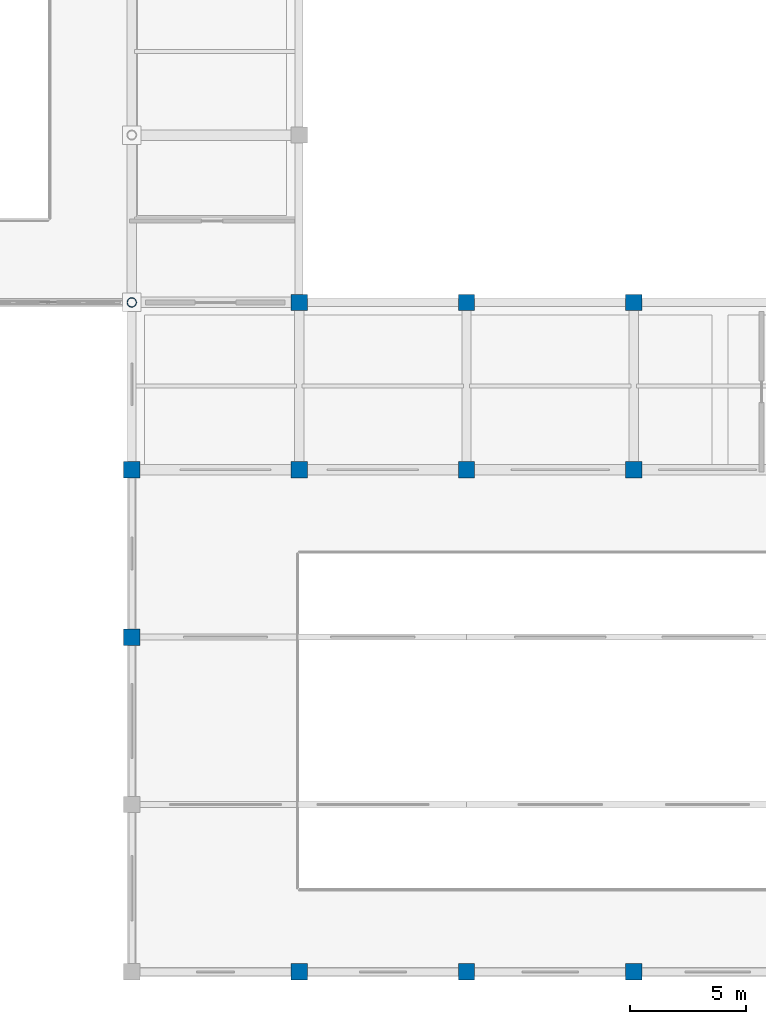
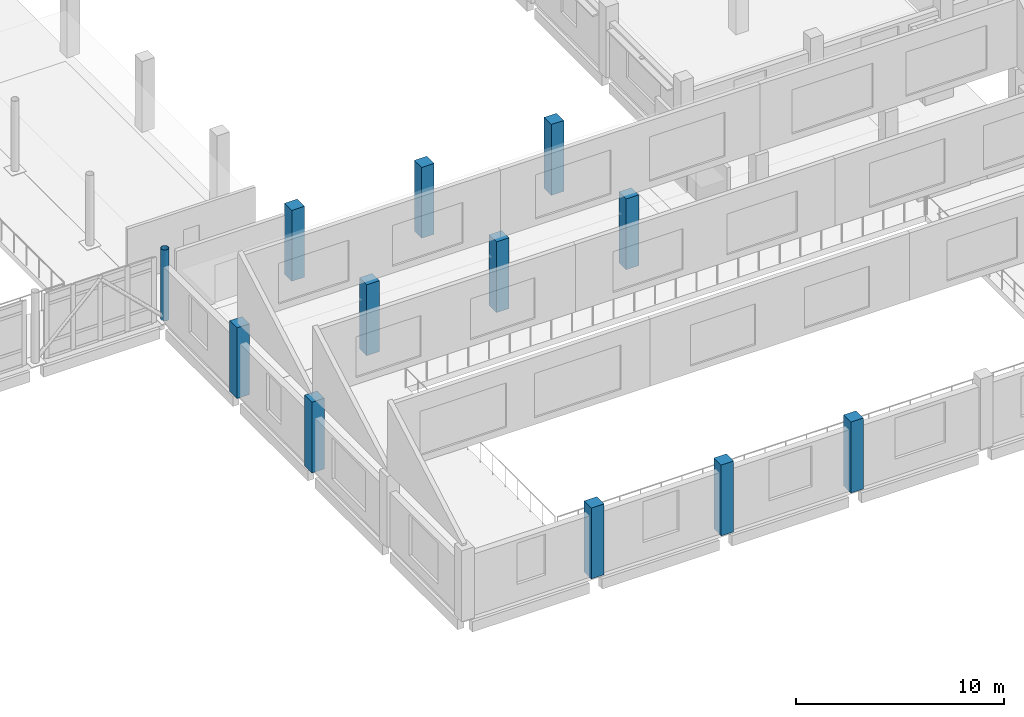
# One storey, part 6 of 62: 12 columns.
"""IFC4 building model written with IfcOpenShell, lengths in metres."""

from ifc_helpers import new_model, si_unit, direction, frame, origin, origin_2d, place, context, subcontext, project, spatial, rectangle, hollow_circle, extrude, material, material_profile, profile_set, type_object, element, save


model = new_model("IFC4")

# Units and contexts
model_context = context("Model", 3, precision=1e-05, world=origin(), true_north=direction((0.0, 1.0)))
body_context = subcontext(model_context, "Body", "Model", "MODEL_VIEW")
ifc_project = project(units=[si_unit("LENGTHUNIT", "METRE"), si_unit("AREAUNIT", "SQUARE_METRE"), si_unit("VOLUMEUNIT", "CUBIC_METRE"), si_unit("PLANEANGLEUNIT", "RADIAN"), si_unit("MASSUNIT", "GRAM", prefix="KILO")], contexts=[model_context])

# Site, building, storey
site_placement = place(None, origin())
site = spatial("IfcSite", under=ifc_project, at=site_placement, CompositionType="ELEMENT")
building_placement = place(site_placement, origin())
building = spatial("IfcBuilding", under=site, at=building_placement, Name="Valkovuoma Quantum and Materials Research Institute", CompositionType="ELEMENT")
storey_placement = place(building_placement, frame((0.0, 0.0, 8.9599609375)))
storey = spatial("IfcBuildingStorey", under=building, at=storey_placement, Name="L02", CompositionType="ELEMENT", Elevation=8.9599609375)

# Columns
ifc_material_1 = material(Name="Steel S355J2H", Category="steel")
ifc_material_profile_1 = material_profile(ifc_material_1, hollow_circle(Radius=0.203125, WallThickness=0.01611328125, at=origin_2d()), Name="Steel S355J2H")
ifc_profile_set_1 = profile_set([ifc_material_profile_1], Name="Steel S355J2H")
column_type_1 = type_object("IfcColumnType", Name="Col-C-CHS406", PredefinedType="COLUMN", material=ifc_profile_set_1)
column_placement = place(storey_placement, frame((100.800048828125, 36.0, 0.0), z_axis=(0.0, 0.0, 1.0), x_axis=(1.0, 0.0, 0.0)))
element("IfcColumn", 1, at=column_placement, inside=storey, type_object=column_type_1, Name="L02 column 15F", PredefinedType="COLUMN", context=body_context, shape_type="SweptSolid", body=[
    extrude(hollow_circle(Radius=0.203125, WallThickness=0.01611328125, at=origin_2d()), origin(), (0.0, 0.0, 1.0), 4.16015625),
])
ifc_material_2 = material(Name="Concrete C40/50", Category="concrete")
ifc_material_profile_2 = material_profile(ifc_material_2, rectangle(XDim=0.699951171875, YDim=0.699951171875, at=origin_2d()), Name="Concrete C40/50")
ifc_profile_set_2 = profile_set([ifc_material_profile_2], Name="Concrete C40/50")
column_type_2 = type_object("IfcColumnType", Name="Col-C-RC700", PredefinedType="COLUMN", material=ifc_profile_set_2)
for number, where, z_axis, x_axis, name in (
    (2, (100.800048828125, 21.60009765625, 0.0), (0.0, 0.0, 1.0), (1.0, 0.0, 0.0), "L02 column 15D"),
    (3, (100.800048828125, 28.800048828125, 0.0), (0.0, 0.0, 1.0), (1.0, 0.0, 0.0), "L02 column 15E"),
    (4, (108.0, 7.199951171875, 0.0), (0.0, 0.0, 1.0), (1.0, 0.0, 0.0), "L02 column 16B"),
    (5, (108.0, 28.800048828125, 0.0), (0.0, 0.0, 1.0), (1.0, 0.0, 0.0), "L02 column 16E"),
    (6, (108.0, 36.0, 0.0), (0.0, 0.0, 1.0), (1.0, 0.0, 0.0), "L02 column 16F"),
    (7, (115.199951171875, 7.199951171875, 0.0), (0.0, 0.0, 1.0), (1.0, 0.0, 0.0), "L02 column 17B"),
    (8, (115.199951171875, 28.800048828125, 0.0), (0.0, 0.0, 1.0), (1.0, 0.0, 0.0), "L02 column 17E"),
    (9, (115.199951171875, 36.0, 0.0), (0.0, 0.0, 1.0), (1.0, 0.0, 0.0), "L02 column 17F"),
    (10, (122.39990234375, 7.199951171875, 0.0), (0.0, 0.0, 1.0), (1.0, 0.0, 0.0), "L02 column 18B"),
    (11, (122.39990234375, 28.800048828125, 0.0), (0.0, 0.0, 1.0), (1.0, 0.0, 0.0), "L02 column 18E"),
    (12, (122.39990234375, 36.0, 0.0), (0.0, 0.0, 1.0), (1.0, 0.0, 0.0), "L02 column 18F"),
):
    element("IfcColumn", number, at=place(storey_placement, frame(where, z_axis=z_axis, x_axis=x_axis)), inside=storey, type_object=column_type_2, Name=name, PredefinedType="COLUMN", context=body_context, shape_type="SweptSolid", body=[
        extrude(rectangle(XDim=0.699951171875, YDim=0.699951171875, at=origin_2d()), origin(), (0.0, 0.0, 1.0), 4.16015625),
    ])

save(model, "model.ifc")
